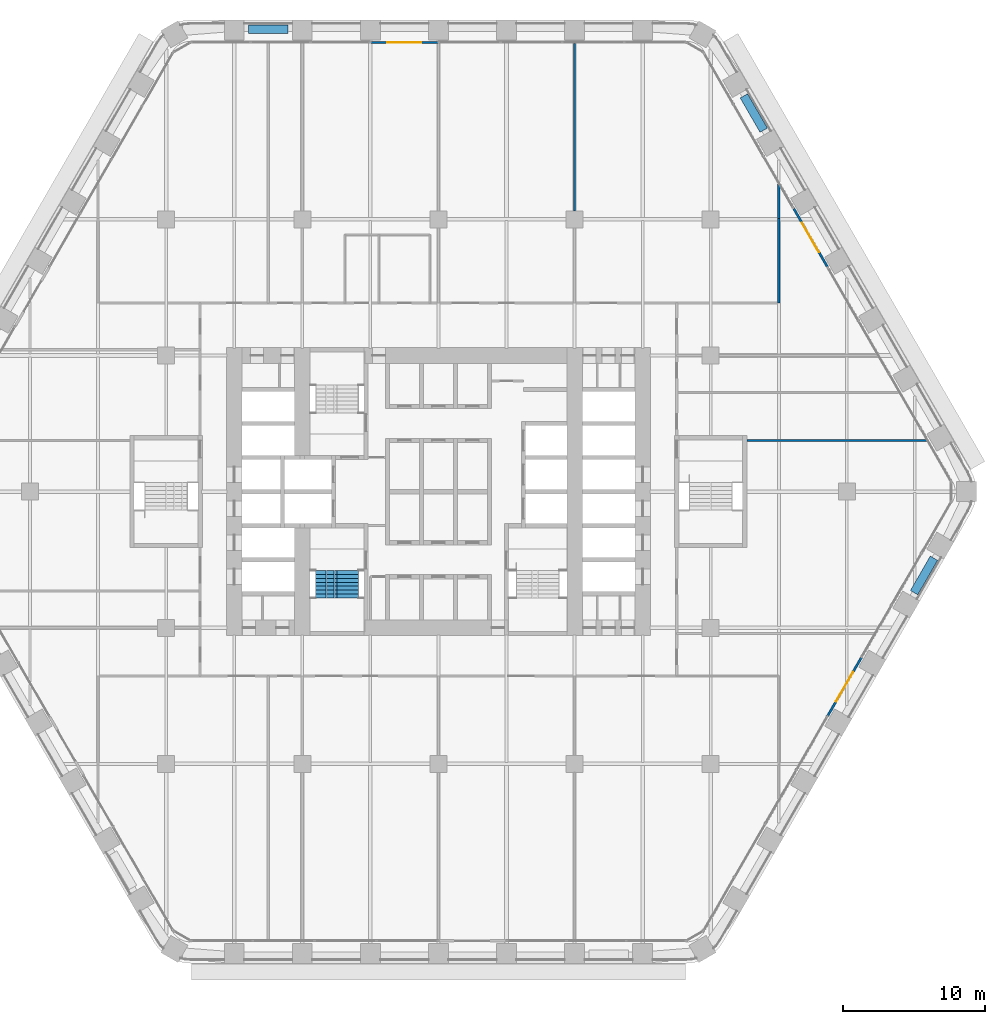
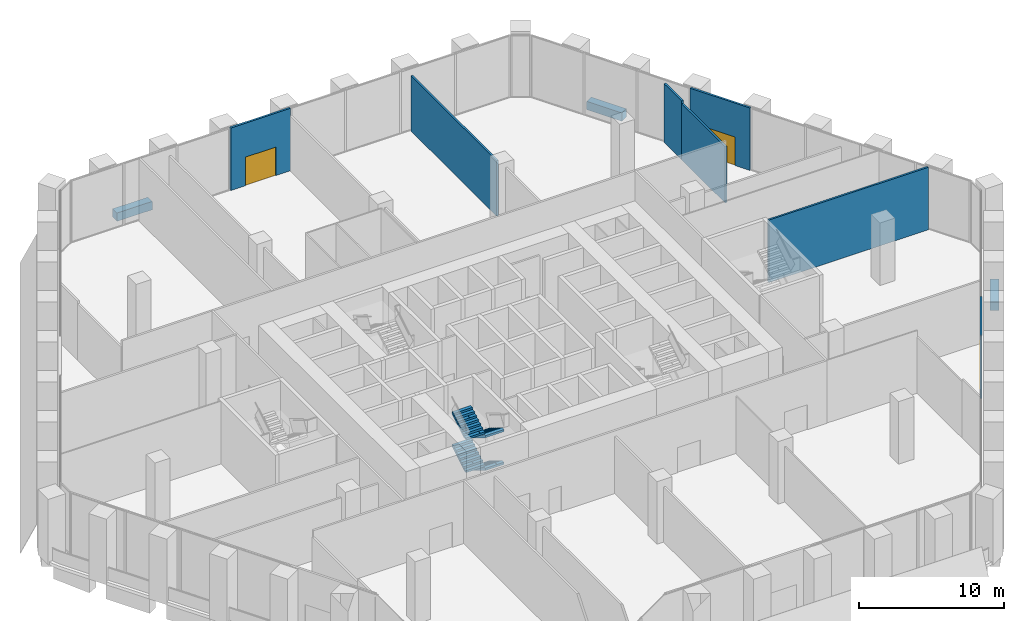
# One storey, part 22 of 27: 10 walls, 4 stair flights, 3 doors, 3 openings, 1 element without a shape of its own.
"""IFC4 building model written with IfcOpenShell, lengths in metres."""

from ifc_helpers import new_model, si_unit, direction, frame, frame_2d, origin, place, context, subcontext, project, spatial, polyline, rectangle, outline, extrude, material, layer, layer_set, type_object, element, fill, aggregate, save


model = new_model("IFC4")

# Units and contexts
model_context = context("Model", 3, precision=1e-05, world=origin(), true_north=direction((0.0, 1.0)))
body_context = subcontext(model_context, "Body", "Model", "MODEL_VIEW")
ifc_project = project(units=[si_unit("LENGTHUNIT", "METRE"), si_unit("AREAUNIT", "SQUARE_METRE"), si_unit("VOLUMEUNIT", "CUBIC_METRE"), si_unit("PLANEANGLEUNIT", "RADIAN"), si_unit("MASSUNIT", "GRAM", prefix="KILO")], contexts=[model_context])

# Site, building, storey
site_placement = place(None, origin())
site = spatial("IfcSite", under=ifc_project, at=site_placement, CompositionType="ELEMENT")
building_placement = place(site_placement, origin())
building = spatial("IfcBuilding", under=site, at=building_placement, Name="Kolab Exchange Tower", CompositionType="ELEMENT")
storey_placement = place(building_placement, frame((0.0, 0.0, 49.89990234375)))
storey = spatial("IfcBuildingStorey", under=building, at=storey_placement, Name="L09", CompositionType="ELEMENT", Elevation=49.89990234375)

# Wall, opening, door
ifc_material_1 = material(Name="Aluminium EN AW-6063 T6", Category="aluminium")
ifc_layer_1 = layer(ifc_material_1, 0.159912109375)
ifc_layer_set_1 = layer_set([ifc_layer_1], Name="Aluminium EN AW-6063 T6")
wall_type_1 = type_object("IfcWallType", Name="DOOR SURROUND WALL 160 ALUMINIUM FRAMED", PredefinedType="PARTITIONING", material=ifc_layer_set_1)
wall_1_placement = place(storey_placement, frame((-4.77001953125, 31.67529296875, 0.0), z_axis=(0.0, 0.0, 1.0), x_axis=(1.0, 0.0, 0.0)))
wall_1 = element("IfcWall", 1, at=wall_1_placement, inside=storey, type_object=wall_type_1, Name="Door surround wall", PredefinedType="PARTITIONING", context=body_context, shape_type="SweptSolid", body=[
    extrude(rectangle(XDim=4.739990234375, YDim=0.159912109375, at=frame_2d((2.3701171875, 0.0))), origin(), (0.0, 0.0, 1.0), 5.25),
])
opening_1_placement = place(wall_1_placement, frame((1.169921875, 0.0, 0.0)))
opening_1 = element("IfcOpeningElement", 2, at=opening_1_placement, cuts=wall_1, Name="Opening GD1-017", PredefinedType="OPENING", context=body_context, shape_type="SweptSolid", body=[
    extrude(rectangle(XDim=2.39990234375, YDim=2.39990234375, at=frame_2d((1.199951171875, 1.199951171875))), frame((0.0, 0.08984375, 0.0), z_axis=(0.0, -1.0, 0.0), x_axis=(1.0, 0.0, 0.0)), (0.0, 0.0, 1.0), 0.179931640625),
])
door_type = type_object("IfcDoorType", Name="LOGGIA SLIDING GLASS DOOR 2400 X 2400", OperationType="DOUBLE_DOOR_SINGLE_SWING", PredefinedType="DOOR", material=ifc_material_1)
door_1_placement = place(opening_1_placement, origin())
door_1 = element("IfcDoor", 3, at=door_1_placement, inside=storey, type_object=door_type, Name="Loggia door", OperationType="DOUBLE_DOOR_SLIDING", OverallHeight=2.39990234375, OverallWidth=2.39990234375, PredefinedType="DOOR", context=body_context, shape_type="SweptSolid", body=[
    extrude(rectangle(XDim=2.39990234375, YDim=2.39990234375, at=frame_2d((1.199951171875, 1.199951171875))), frame((0.0, 0.02490234375, 0.0), z_axis=(0.0, -1.0, 0.0), x_axis=(1.0, 0.0, 0.0)), (0.0, 0.0, 1.0), 0.050048828125),
])
fill(opening_1, door_1)

wall_2_placement = place(storey_placement, frame((25.046630859375, 19.96875, 0.0), z_axis=(0.0, 0.0, 1.0), x_axis=(0.5000167099, -0.866015756104, 0.0)))
wall_2 = element("IfcWall", 4, at=wall_2_placement, inside=storey, type_object=wall_type_1, Name="Door surround wall", PredefinedType="PARTITIONING", context=body_context, shape_type="SweptSolid", body=[
    extrude(rectangle(XDim=4.739990234375, YDim=0.159912109375, at=frame_2d((2.3701171875, 0.0))), origin(), (0.0, 0.0, 1.0), 5.25),
])
opening_2_placement = place(wall_2_placement, frame((1.169921875, 0.0, 0.0)))
opening_2 = element("IfcOpeningElement", 5, at=opening_2_placement, cuts=wall_2, Name="Opening GD1-018", PredefinedType="OPENING", context=body_context, shape_type="SweptSolid", body=[
    extrude(rectangle(XDim=2.39990234375, YDim=2.39990234375, at=frame_2d((1.199951171875, 1.199951171875))), frame((0.0, 0.08984375, 0.0), z_axis=(0.0, -1.0, 0.0), x_axis=(1.0, 0.0, 0.0)), (0.0, 0.0, 1.0), 0.179931640625),
])
door_2_placement = place(opening_2_placement, origin())
door_2 = element("IfcDoor", 6, at=door_2_placement, inside=storey, type_object=door_type, Name="Loggia door", OperationType="DOUBLE_DOOR_SLIDING", OverallHeight=2.39990234375, OverallWidth=2.39990234375, PredefinedType="DOOR", context=body_context, shape_type="SweptSolid", body=[
    extrude(rectangle(XDim=2.39990234375, YDim=2.39990234375, at=frame_2d((1.199951171875, 1.199951171875))), frame((0.0, 0.02490234375, 0.0), z_axis=(0.0, -1.0, 0.0), x_axis=(1.0, 0.0, 0.0)), (0.0, 0.0, 1.0), 0.050048828125),
])
fill(opening_2, door_2)

wall_3_placement = place(storey_placement, frame((29.816650390625, -11.706787109375, 0.0), z_axis=(0.0, 0.0, 1.0), x_axis=(-0.499978080042, -0.866038058908, 0.0)))
wall_3 = element("IfcWall", 7, at=wall_3_placement, inside=storey, type_object=wall_type_1, Name="Door surround wall", PredefinedType="PARTITIONING", context=body_context, shape_type="SweptSolid", body=[
    extrude(rectangle(XDim=4.739990234375, YDim=0.159912109375, at=frame_2d((2.3701171875, 0.0))), origin(), (0.0, 0.0, 1.0), 5.25),
])
opening_3_placement = place(wall_3_placement, frame((1.169921875, 0.0, 0.0)))
opening_3 = element("IfcOpeningElement", 8, at=opening_3_placement, cuts=wall_3, Name="Opening GD1-019", PredefinedType="OPENING", context=body_context, shape_type="SweptSolid", body=[
    extrude(rectangle(XDim=2.39990234375, YDim=2.39990234375, at=frame_2d((1.199951171875, 1.199951171875))), frame((0.0, 0.08984375, 0.0), z_axis=(0.0, -1.0, 0.0), x_axis=(1.0, 0.0, 0.0)), (0.0, 0.0, 1.0), 0.179931640625),
])
door_3_placement = place(opening_3_placement, origin())
door_3 = element("IfcDoor", 9, at=door_3_placement, inside=storey, type_object=door_type, Name="Loggia door", OperationType="DOUBLE_DOOR_SLIDING", OverallHeight=2.39990234375, OverallWidth=2.39990234375, PredefinedType="DOOR", context=body_context, shape_type="SweptSolid", body=[
    extrude(rectangle(XDim=2.39990234375, YDim=2.39990234375, at=frame_2d((1.199951171875, 1.199951171875))), frame((0.0, 0.02490234375, 0.0), z_axis=(0.0, -1.0, 0.0), x_axis=(1.0, 0.0, 0.0)), (0.0, 0.0, 1.0), 0.050048828125),
])
fill(opening_3, door_3)

# Walls
ifc_material_2 = material(Name="Gypsum board", Category="gypsum")
ifc_layer_2 = layer(ifc_material_2, 0.14990234375)
ifc_layer_set_2 = layer_set([ifc_layer_2], Name="Gypsum board")
wall_type_2 = type_object("IfcWallType", Name="PARTITION 150 FIRE-RATED", PredefinedType="PARTITIONING", material=ifc_layer_set_2)
wall_4_placement = place(storey_placement, frame((24.0, 13.300048828125, 0.0), z_axis=(0.0, 0.0, 1.0), x_axis=(0.0, 1.0, 0.0)))
element("IfcWall", 10, at=wall_4_placement, inside=storey, type_object=wall_type_2, Name="Partition 001", PredefinedType="PARTITIONING", context=body_context, shape_type="SweptSolid", body=[
    extrude(rectangle(XDim=5.973876953125, YDim=0.14990234375, at=frame_2d((2.98681640625, 0.0))), origin(), (0.0, 0.0, 1.0), 4.717041015625),
])
wall_5_placement = place(storey_placement, frame((24.0, 19.27392578125, 0.0), z_axis=(0.0, 0.0, 1.0), x_axis=(0.0, 1.0, 0.0)))
element("IfcWall", 11, at=wall_5_placement, inside=storey, type_object=wall_type_2, Name="Partition 001", PredefinedType="PARTITIONING", context=body_context, shape_type="SweptSolid", body=[
    extrude(rectangle(XDim=2.427490234375, YDim=0.14990234375, at=frame_2d((1.2138671875, 0.0))), origin(), (0.0, 0.0, 1.0), 4.940185546875),
])
wall_6_placement = place(storey_placement, frame((9.60009765625, 19.800048828125, 0.0), z_axis=(0.0, 0.0, 1.0), x_axis=(0.0, 1.0, 0.0)))
element("IfcWall", 12, at=wall_6_placement, inside=storey, type_object=wall_type_2, Name="Partition 011", PredefinedType="PARTITIONING", context=body_context, shape_type="SweptSolid", body=[
    extrude(rectangle(XDim=11.785400390625, YDim=0.14990234375, at=frame_2d((5.892578125, 0.0))), origin(), (0.0, 0.0, 1.0), 4.64208984375),
])
wall_7_placement = place(storey_placement, frame((21.75, 3.60009765625, 0.0), z_axis=(0.0, 0.0, 1.0), x_axis=(1.0, 0.0, 0.0)))
element("IfcWall", 13, at=wall_7_placement, inside=storey, type_object=wall_type_2, Name="Partition 041", PredefinedType="PARTITIONING", context=body_context, shape_type="SweptSolid", body=[
    extrude(rectangle(XDim=12.700927734375, YDim=0.14990234375, at=frame_2d((6.3505859375, 0.0))), origin(), (0.0, 0.0, 1.0), 5.25),
])
ifc_material_3 = material(Name="Granite facing", Category="masonry")
ifc_layer_3 = layer(ifc_material_3, 0.0400390625)
ifc_material_4 = material(Name="Concrete C40/50 precast", Category="concrete")
ifc_layer_4 = layer(ifc_material_4, 0.56005859375)
ifc_layer_set_3 = layer_set([ifc_layer_3, ifc_layer_4], Name="Concrete C40/50 precast")
wall_type_3 = type_object("IfcWallType", Name="PLANTER BOX 600 X 700 SOIL DEPTH 550", PredefinedType="USERDEFINED", material=ifc_layer_set_3)
for number, where, z_axis, x_axis, name in (
    (14, (-13.39990234375, 32.60546875, 0.0), (0.0, 0.0, 1.0), (1.0, 0.0, 0.0), "Planter"),
    (15, (21.537109375, 27.907470703125, 0.0), (0.0, 0.0, 1.0), (0.49998411664, -0.866034573852, 0.0), "Planter"),
    (16, (34.93701171875, -4.697998046875, 0.0), (0.0, 0.0, 1.0), (-0.49998411664, -0.866034573852, 0.0), "Planter"),
):
    element("IfcWall", number, at=place(storey_placement, frame(where, z_axis=z_axis, x_axis=x_axis)), inside=storey, type_object=wall_type_3, Name=name, ObjectType="PLANTER", PredefinedType="USERDEFINED", context=body_context, shape_type="SweptSolid", body=[
        extrude(rectangle(XDim=2.7998046875, YDim=0.60009765625, at=frame_2d((1.39990234375, 0.0))), origin(), (0.0, 0.0, 1.0), 0.7001953125),
    ])

# Stair, stair flights
ifc_material_5 = material(Name="Concrete C50/60", Category="concrete")
stair_type = type_object("IfcStairType", Name="STAIR ST3 RISER 171.9", PredefinedType="DOUBLE_RETURN_STAIR", material=ifc_material_5)
stair_placement = place(storey_placement, origin())
stair = element("IfcStair", 17, at=stair_placement, inside=storey, type_object=stair_type, Name="Stair 3", PredefinedType="DOUBLE_RETURN_STAIR")
stair_flight_type = type_object("IfcStairFlightType", Name="STAIR FLIGHT 1500 RISER 171.9", PredefinedType="STRAIGHT", material=ifc_material_5)
stair_flight_1_placement = place(storey_placement, frame((-6.389892578125, -5.550048828125, 0.0), z_axis=(0.0, 0.0, 1.0), x_axis=(0.0, -1.0, 0.0)))
stair_flight_1 = element("IfcStairFlight", 18, at=stair_flight_1_placement, type_object=stair_flight_type, Name="ST3 flight 1", NumberOfRisers=8, NumberOfTreads=7, PredefinedType="STRAIGHT", RiserHeight=0.171875, TreadLength=0.28, context=body_context, shape_type="SweptSolid", body=[
    extrude(outline(polyline([(0.0, 0.0), (0.0, 0.171875), (0.280029296875, 0.171875), (0.280029296875, 0.34375), (0.56005859375, 0.34375), (0.56005859375, 0.515625), (0.840087890625, 0.515625), (0.840087890625, 0.6875), (1.1201171875, 0.6875), (1.1201171875, 0.859375), (1.39990234375, 0.859375), (1.39990234375, 1.03125), (1.679931640625, 1.03125), (1.679931640625, 1.203125), (1.9599609375, 1.203125), (1.9599609375, 1.375), (1.9599609375, 1.02734375), (0.28662109375, 0.0), (0.0, 0.0)])), frame((0.0, 0.75, 0.0), z_axis=(0.0, -1.0, 0.0), x_axis=(1.0, 0.0, 0.0)), (0.0, 0.0, 1.0), 0.185791015625),
    extrude(outline(polyline([(0.0, 0.0), (0.0, 0.171875), (0.280029296875, 0.171875), (0.280029296875, 0.34375), (0.56005859375, 0.34375), (0.56005859375, 0.515625), (0.840087890625, 0.515625), (0.840087890625, 0.6875), (1.1201171875, 0.6875), (1.1201171875, 0.859375), (1.39990234375, 0.859375), (1.39990234375, 1.03125), (1.679931640625, 1.03125), (1.679931640625, 1.203125), (1.9599609375, 1.203125), (1.9599609375, 1.375), (1.9599609375, 1.02734375), (0.28662109375, 0.0), (0.0, 0.0)])), frame((0.0, 0.562255859375, 0.0), z_axis=(0.0, -1.0, 0.0), x_axis=(1.0, 0.0, 0.0)), (0.0, 0.0, 1.0), 0.185791015625),
    extrude(outline(polyline([(0.0, 0.0), (0.0, 0.171875), (0.280029296875, 0.171875), (0.280029296875, 0.34375), (0.56005859375, 0.34375), (0.56005859375, 0.515625), (0.840087890625, 0.515625), (0.840087890625, 0.6875), (1.1201171875, 0.6875), (1.1201171875, 0.859375), (1.39990234375, 0.859375), (1.39990234375, 1.03125), (1.679931640625, 1.03125), (1.679931640625, 1.203125), (1.9599609375, 1.203125), (1.9599609375, 1.375), (1.9599609375, 1.02734375), (0.28662109375, 0.0), (0.0, 0.0)])), frame((0.0, 0.37451171875, 0.0), z_axis=(0.0, -1.0, 0.0), x_axis=(1.0, 0.0, 0.0)), (0.0, 0.0, 1.0), 0.185791015625),
    extrude(outline(polyline([(0.0, 0.0), (0.0, 0.171875), (0.280029296875, 0.171875), (0.280029296875, 0.34375), (0.56005859375, 0.34375), (0.56005859375, 0.515625), (0.840087890625, 0.515625), (0.840087890625, 0.6875), (1.1201171875, 0.6875), (1.1201171875, 0.859375), (1.39990234375, 0.859375), (1.39990234375, 1.03125), (1.679931640625, 1.03125), (1.679931640625, 1.203125), (1.9599609375, 1.203125), (1.9599609375, 1.375), (1.9599609375, 1.02734375), (0.28662109375, 0.0), (0.0, 0.0)])), frame((0.0, 0.186767578125, 0.0), z_axis=(0.0, -1.0, 0.0), x_axis=(1.0, 0.0, 0.0)), (0.0, 0.0, 1.0), 0.185791015625),
    extrude(outline(polyline([(0.0, 0.0), (0.0, 0.171875), (0.280029296875, 0.171875), (0.280029296875, 0.34375), (0.56005859375, 0.34375), (0.56005859375, 0.515625), (0.840087890625, 0.515625), (0.840087890625, 0.6875), (1.1201171875, 0.6875), (1.1201171875, 0.859375), (1.39990234375, 0.859375), (1.39990234375, 1.03125), (1.679931640625, 1.03125), (1.679931640625, 1.203125), (1.9599609375, 1.203125), (1.9599609375, 1.375), (1.9599609375, 1.02734375), (0.28662109375, 0.0), (0.0, 0.0)])), frame((0.0, -0.0009765625, 0.0), z_axis=(0.0, -1.0, 0.0), x_axis=(1.0, 0.0, 0.0)), (0.0, 0.0, 1.0), 0.185791015625),
    extrude(outline(polyline([(0.0, 0.0), (0.0, 0.171875), (0.280029296875, 0.171875), (0.280029296875, 0.34375), (0.56005859375, 0.34375), (0.56005859375, 0.515625), (0.840087890625, 0.515625), (0.840087890625, 0.6875), (1.1201171875, 0.6875), (1.1201171875, 0.859375), (1.39990234375, 0.859375), (1.39990234375, 1.03125), (1.679931640625, 1.03125), (1.679931640625, 1.203125), (1.9599609375, 1.203125), (1.9599609375, 1.375), (1.9599609375, 1.02734375), (0.28662109375, 0.0), (0.0, 0.0)])), frame((0.0, -0.188720703125, 0.0), z_axis=(0.0, -1.0, 0.0), x_axis=(1.0, 0.0, 0.0)), (0.0, 0.0, 1.0), 0.185791015625),
    extrude(outline(polyline([(0.0, 0.0), (0.0, 0.171875), (0.280029296875, 0.171875), (0.280029296875, 0.34375), (0.56005859375, 0.34375), (0.56005859375, 0.515625), (0.840087890625, 0.515625), (0.840087890625, 0.6875), (1.1201171875, 0.6875), (1.1201171875, 0.859375), (1.39990234375, 0.859375), (1.39990234375, 1.03125), (1.679931640625, 1.03125), (1.679931640625, 1.203125), (1.9599609375, 1.203125), (1.9599609375, 1.375), (1.9599609375, 1.02734375), (0.28662109375, 0.0), (0.0, 0.0)])), frame((0.0, -0.37646484375, 0.0), z_axis=(0.0, -1.0, 0.0), x_axis=(1.0, 0.0, 0.0)), (0.0, 0.0, 1.0), 0.185791015625),
    extrude(outline(polyline([(0.0, 0.0), (0.0, 0.171875), (0.280029296875, 0.171875), (0.280029296875, 0.34375), (0.56005859375, 0.34375), (0.56005859375, 0.515625), (0.840087890625, 0.515625), (0.840087890625, 0.6875), (1.1201171875, 0.6875), (1.1201171875, 0.859375), (1.39990234375, 0.859375), (1.39990234375, 1.03125), (1.679931640625, 1.03125), (1.679931640625, 1.203125), (1.9599609375, 1.203125), (1.9599609375, 1.375), (1.9599609375, 1.02734375), (0.28662109375, 0.0), (0.0, 0.0)])), frame((0.0, -0.564208984375, 0.0), z_axis=(0.0, -1.0, 0.0), x_axis=(1.0, 0.0, 0.0)), (0.0, 0.0, 1.0), 0.185791015625),
])
stair_flight_2_placement = place(storey_placement, frame((-7.909912109375, -7.510009765625, 1.375), z_axis=(0.0, 0.0, 1.0), x_axis=(0.0, 1.0, 0.0)))
stair_flight_2 = element("IfcStairFlight", 19, at=stair_flight_2_placement, type_object=stair_flight_type, Name="ST3 flight 2", NumberOfRisers=8, NumberOfTreads=7, PredefinedType="STRAIGHT", RiserHeight=0.171875, TreadLength=0.28, context=body_context, shape_type="SweptSolid", body=[
    extrude(outline(polyline([(0.0, 0.0), (0.0, 0.171875), (0.280029296875, 0.171875), (0.280029296875, 0.34375), (0.56005859375, 0.34375), (0.56005859375, 0.515625), (0.840087890625, 0.515625), (0.840087890625, 0.6875), (1.1201171875, 0.6875), (1.1201171875, 0.859375), (1.39990234375, 0.859375), (1.39990234375, 1.03125), (1.679931640625, 1.03125), (1.679931640625, 1.203125), (1.9599609375, 1.203125), (1.9599609375, 1.375), (1.9599609375, 1.02734375), (0.28662109375, 0.0), (0.0, 0.0)])), frame((0.0, 0.75, 0.0), z_axis=(0.0, -1.0, 0.0), x_axis=(1.0, 0.0, 0.0)), (0.0, 0.0, 1.0), 0.185791015625),
    extrude(outline(polyline([(0.0, 0.0), (0.0, 0.171875), (0.280029296875, 0.171875), (0.280029296875, 0.34375), (0.56005859375, 0.34375), (0.56005859375, 0.515625), (0.840087890625, 0.515625), (0.840087890625, 0.6875), (1.1201171875, 0.6875), (1.1201171875, 0.859375), (1.39990234375, 0.859375), (1.39990234375, 1.03125), (1.679931640625, 1.03125), (1.679931640625, 1.203125), (1.9599609375, 1.203125), (1.9599609375, 1.375), (1.9599609375, 1.02734375), (0.28662109375, 0.0), (0.0, 0.0)])), frame((0.0, 0.562255859375, 0.0), z_axis=(0.0, -1.0, 0.0), x_axis=(1.0, 0.0, 0.0)), (0.0, 0.0, 1.0), 0.185791015625),
    extrude(outline(polyline([(0.0, 0.0), (0.0, 0.171875), (0.280029296875, 0.171875), (0.280029296875, 0.34375), (0.56005859375, 0.34375), (0.56005859375, 0.515625), (0.840087890625, 0.515625), (0.840087890625, 0.6875), (1.1201171875, 0.6875), (1.1201171875, 0.859375), (1.39990234375, 0.859375), (1.39990234375, 1.03125), (1.679931640625, 1.03125), (1.679931640625, 1.203125), (1.9599609375, 1.203125), (1.9599609375, 1.375), (1.9599609375, 1.02734375), (0.28662109375, 0.0), (0.0, 0.0)])), frame((0.0, 0.37451171875, 0.0), z_axis=(0.0, -1.0, 0.0), x_axis=(1.0, 0.0, 0.0)), (0.0, 0.0, 1.0), 0.185791015625),
    extrude(outline(polyline([(0.0, 0.0), (0.0, 0.171875), (0.280029296875, 0.171875), (0.280029296875, 0.34375), (0.56005859375, 0.34375), (0.56005859375, 0.515625), (0.840087890625, 0.515625), (0.840087890625, 0.6875), (1.1201171875, 0.6875), (1.1201171875, 0.859375), (1.39990234375, 0.859375), (1.39990234375, 1.03125), (1.679931640625, 1.03125), (1.679931640625, 1.203125), (1.9599609375, 1.203125), (1.9599609375, 1.375), (1.9599609375, 1.02734375), (0.28662109375, 0.0), (0.0, 0.0)])), frame((0.0, 0.186767578125, 0.0), z_axis=(0.0, -1.0, 0.0), x_axis=(1.0, 0.0, 0.0)), (0.0, 0.0, 1.0), 0.185791015625),
    extrude(outline(polyline([(0.0, 0.0), (0.0, 0.171875), (0.280029296875, 0.171875), (0.280029296875, 0.34375), (0.56005859375, 0.34375), (0.56005859375, 0.515625), (0.840087890625, 0.515625), (0.840087890625, 0.6875), (1.1201171875, 0.6875), (1.1201171875, 0.859375), (1.39990234375, 0.859375), (1.39990234375, 1.03125), (1.679931640625, 1.03125), (1.679931640625, 1.203125), (1.9599609375, 1.203125), (1.9599609375, 1.375), (1.9599609375, 1.02734375), (0.28662109375, 0.0), (0.0, 0.0)])), frame((0.0, -0.0009765625, 0.0), z_axis=(0.0, -1.0, 0.0), x_axis=(1.0, 0.0, 0.0)), (0.0, 0.0, 1.0), 0.185791015625),
    extrude(outline(polyline([(0.0, 0.0), (0.0, 0.171875), (0.280029296875, 0.171875), (0.280029296875, 0.34375), (0.56005859375, 0.34375), (0.56005859375, 0.515625), (0.840087890625, 0.515625), (0.840087890625, 0.6875), (1.1201171875, 0.6875), (1.1201171875, 0.859375), (1.39990234375, 0.859375), (1.39990234375, 1.03125), (1.679931640625, 1.03125), (1.679931640625, 1.203125), (1.9599609375, 1.203125), (1.9599609375, 1.375), (1.9599609375, 1.02734375), (0.28662109375, 0.0), (0.0, 0.0)])), frame((0.0, -0.188720703125, 0.0), z_axis=(0.0, -1.0, 0.0), x_axis=(1.0, 0.0, 0.0)), (0.0, 0.0, 1.0), 0.185791015625),
    extrude(outline(polyline([(0.0, 0.0), (0.0, 0.171875), (0.280029296875, 0.171875), (0.280029296875, 0.34375), (0.56005859375, 0.34375), (0.56005859375, 0.515625), (0.840087890625, 0.515625), (0.840087890625, 0.6875), (1.1201171875, 0.6875), (1.1201171875, 0.859375), (1.39990234375, 0.859375), (1.39990234375, 1.03125), (1.679931640625, 1.03125), (1.679931640625, 1.203125), (1.9599609375, 1.203125), (1.9599609375, 1.375), (1.9599609375, 1.02734375), (0.28662109375, 0.0), (0.0, 0.0)])), frame((0.0, -0.37646484375, 0.0), z_axis=(0.0, -1.0, 0.0), x_axis=(1.0, 0.0, 0.0)), (0.0, 0.0, 1.0), 0.185791015625),
    extrude(outline(polyline([(0.0, 0.0), (0.0, 0.171875), (0.280029296875, 0.171875), (0.280029296875, 0.34375), (0.56005859375, 0.34375), (0.56005859375, 0.515625), (0.840087890625, 0.515625), (0.840087890625, 0.6875), (1.1201171875, 0.6875), (1.1201171875, 0.859375), (1.39990234375, 0.859375), (1.39990234375, 1.03125), (1.679931640625, 1.03125), (1.679931640625, 1.203125), (1.9599609375, 1.203125), (1.9599609375, 1.375), (1.9599609375, 1.02734375), (0.28662109375, 0.0), (0.0, 0.0)])), frame((0.0, -0.564208984375, 0.0), z_axis=(0.0, -1.0, 0.0), x_axis=(1.0, 0.0, 0.0)), (0.0, 0.0, 1.0), 0.185791015625),
])
stair_flight_3_placement = place(storey_placement, frame((-6.389892578125, -5.550048828125, 2.75), z_axis=(0.0, 0.0, 1.0), x_axis=(0.0, -1.0, 0.0)))
stair_flight_3 = element("IfcStairFlight", 20, at=stair_flight_3_placement, type_object=stair_flight_type, Name="ST3 flight 3", NumberOfRisers=8, NumberOfTreads=7, PredefinedType="STRAIGHT", RiserHeight=0.171875, TreadLength=0.28, context=body_context, shape_type="SweptSolid", body=[
    extrude(outline(polyline([(0.0, 0.0), (0.0, 0.171875), (0.280029296875, 0.171875), (0.280029296875, 0.34375), (0.56005859375, 0.34375), (0.56005859375, 0.515625), (0.840087890625, 0.515625), (0.840087890625, 0.6875), (1.1201171875, 0.6875), (1.1201171875, 0.859375), (1.39990234375, 0.859375), (1.39990234375, 1.03125), (1.679931640625, 1.03125), (1.679931640625, 1.203125), (1.9599609375, 1.203125), (1.9599609375, 1.375), (1.9599609375, 1.02734375), (0.28662109375, 0.0), (0.0, 0.0)])), frame((0.0, 0.75, 0.0), z_axis=(0.0, -1.0, 0.0), x_axis=(1.0, 0.0, 0.0)), (0.0, 0.0, 1.0), 0.185791015625),
    extrude(outline(polyline([(0.0, 0.0), (0.0, 0.171875), (0.280029296875, 0.171875), (0.280029296875, 0.34375), (0.56005859375, 0.34375), (0.56005859375, 0.515625), (0.840087890625, 0.515625), (0.840087890625, 0.6875), (1.1201171875, 0.6875), (1.1201171875, 0.859375), (1.39990234375, 0.859375), (1.39990234375, 1.03125), (1.679931640625, 1.03125), (1.679931640625, 1.203125), (1.9599609375, 1.203125), (1.9599609375, 1.375), (1.9599609375, 1.02734375), (0.28662109375, 0.0), (0.0, 0.0)])), frame((0.0, 0.562255859375, 0.0), z_axis=(0.0, -1.0, 0.0), x_axis=(1.0, 0.0, 0.0)), (0.0, 0.0, 1.0), 0.185791015625),
    extrude(outline(polyline([(0.0, 0.0), (0.0, 0.171875), (0.280029296875, 0.171875), (0.280029296875, 0.34375), (0.56005859375, 0.34375), (0.56005859375, 0.515625), (0.840087890625, 0.515625), (0.840087890625, 0.6875), (1.1201171875, 0.6875), (1.1201171875, 0.859375), (1.39990234375, 0.859375), (1.39990234375, 1.03125), (1.679931640625, 1.03125), (1.679931640625, 1.203125), (1.9599609375, 1.203125), (1.9599609375, 1.375), (1.9599609375, 1.02734375), (0.28662109375, 0.0), (0.0, 0.0)])), frame((0.0, 0.37451171875, 0.0), z_axis=(0.0, -1.0, 0.0), x_axis=(1.0, 0.0, 0.0)), (0.0, 0.0, 1.0), 0.185791015625),
    extrude(outline(polyline([(0.0, 0.0), (0.0, 0.171875), (0.280029296875, 0.171875), (0.280029296875, 0.34375), (0.56005859375, 0.34375), (0.56005859375, 0.515625), (0.840087890625, 0.515625), (0.840087890625, 0.6875), (1.1201171875, 0.6875), (1.1201171875, 0.859375), (1.39990234375, 0.859375), (1.39990234375, 1.03125), (1.679931640625, 1.03125), (1.679931640625, 1.203125), (1.9599609375, 1.203125), (1.9599609375, 1.375), (1.9599609375, 1.02734375), (0.28662109375, 0.0), (0.0, 0.0)])), frame((0.0, 0.186767578125, 0.0), z_axis=(0.0, -1.0, 0.0), x_axis=(1.0, 0.0, 0.0)), (0.0, 0.0, 1.0), 0.185791015625),
    extrude(outline(polyline([(0.0, 0.0), (0.0, 0.171875), (0.280029296875, 0.171875), (0.280029296875, 0.34375), (0.56005859375, 0.34375), (0.56005859375, 0.515625), (0.840087890625, 0.515625), (0.840087890625, 0.6875), (1.1201171875, 0.6875), (1.1201171875, 0.859375), (1.39990234375, 0.859375), (1.39990234375, 1.03125), (1.679931640625, 1.03125), (1.679931640625, 1.203125), (1.9599609375, 1.203125), (1.9599609375, 1.375), (1.9599609375, 1.02734375), (0.28662109375, 0.0), (0.0, 0.0)])), frame((0.0, -0.0009765625, 0.0), z_axis=(0.0, -1.0, 0.0), x_axis=(1.0, 0.0, 0.0)), (0.0, 0.0, 1.0), 0.185791015625),
    extrude(outline(polyline([(0.0, 0.0), (0.0, 0.171875), (0.280029296875, 0.171875), (0.280029296875, 0.34375), (0.56005859375, 0.34375), (0.56005859375, 0.515625), (0.840087890625, 0.515625), (0.840087890625, 0.6875), (1.1201171875, 0.6875), (1.1201171875, 0.859375), (1.39990234375, 0.859375), (1.39990234375, 1.03125), (1.679931640625, 1.03125), (1.679931640625, 1.203125), (1.9599609375, 1.203125), (1.9599609375, 1.375), (1.9599609375, 1.02734375), (0.28662109375, 0.0), (0.0, 0.0)])), frame((0.0, -0.188720703125, 0.0), z_axis=(0.0, -1.0, 0.0), x_axis=(1.0, 0.0, 0.0)), (0.0, 0.0, 1.0), 0.185791015625),
    extrude(outline(polyline([(0.0, 0.0), (0.0, 0.171875), (0.280029296875, 0.171875), (0.280029296875, 0.34375), (0.56005859375, 0.34375), (0.56005859375, 0.515625), (0.840087890625, 0.515625), (0.840087890625, 0.6875), (1.1201171875, 0.6875), (1.1201171875, 0.859375), (1.39990234375, 0.859375), (1.39990234375, 1.03125), (1.679931640625, 1.03125), (1.679931640625, 1.203125), (1.9599609375, 1.203125), (1.9599609375, 1.375), (1.9599609375, 1.02734375), (0.28662109375, 0.0), (0.0, 0.0)])), frame((0.0, -0.37646484375, 0.0), z_axis=(0.0, -1.0, 0.0), x_axis=(1.0, 0.0, 0.0)), (0.0, 0.0, 1.0), 0.185791015625),
    extrude(outline(polyline([(0.0, 0.0), (0.0, 0.171875), (0.280029296875, 0.171875), (0.280029296875, 0.34375), (0.56005859375, 0.34375), (0.56005859375, 0.515625), (0.840087890625, 0.515625), (0.840087890625, 0.6875), (1.1201171875, 0.6875), (1.1201171875, 0.859375), (1.39990234375, 0.859375), (1.39990234375, 1.03125), (1.679931640625, 1.03125), (1.679931640625, 1.203125), (1.9599609375, 1.203125), (1.9599609375, 1.375), (1.9599609375, 1.02734375), (0.28662109375, 0.0), (0.0, 0.0)])), frame((0.0, -0.564208984375, 0.0), z_axis=(0.0, -1.0, 0.0), x_axis=(1.0, 0.0, 0.0)), (0.0, 0.0, 1.0), 0.185791015625),
])
stair_flight_4_placement = place(storey_placement, frame((-7.909912109375, -7.510009765625, 4.125), z_axis=(0.0, 0.0, 1.0), x_axis=(0.0, 1.0, 0.0)))
stair_flight_4 = element("IfcStairFlight", 21, at=stair_flight_4_placement, type_object=stair_flight_type, Name="ST3 flight 4", NumberOfRisers=8, NumberOfTreads=7, PredefinedType="STRAIGHT", RiserHeight=0.171875, TreadLength=0.28, context=body_context, shape_type="SweptSolid", body=[
    extrude(outline(polyline([(0.0, 0.0), (0.0, 0.171875), (0.280029296875, 0.171875), (0.280029296875, 0.34375), (0.56005859375, 0.34375), (0.56005859375, 0.515625), (0.840087890625, 0.515625), (0.840087890625, 0.6875), (1.1201171875, 0.6875), (1.1201171875, 0.859375), (1.39990234375, 0.859375), (1.39990234375, 1.03125), (1.679931640625, 1.03125), (1.679931640625, 1.203125), (1.9599609375, 1.203125), (1.9599609375, 1.375), (1.9599609375, 1.02734375), (0.28662109375, 0.0), (0.0, 0.0)])), frame((0.0, 0.75, 0.0), z_axis=(0.0, -1.0, 0.0), x_axis=(1.0, 0.0, 0.0)), (0.0, 0.0, 1.0), 0.185791015625),
    extrude(outline(polyline([(0.0, 0.0), (0.0, 0.171875), (0.280029296875, 0.171875), (0.280029296875, 0.34375), (0.56005859375, 0.34375), (0.56005859375, 0.515625), (0.840087890625, 0.515625), (0.840087890625, 0.6875), (1.1201171875, 0.6875), (1.1201171875, 0.859375), (1.39990234375, 0.859375), (1.39990234375, 1.03125), (1.679931640625, 1.03125), (1.679931640625, 1.203125), (1.9599609375, 1.203125), (1.9599609375, 1.375), (1.9599609375, 1.02734375), (0.28662109375, 0.0), (0.0, 0.0)])), frame((0.0, 0.562255859375, 0.0), z_axis=(0.0, -1.0, 0.0), x_axis=(1.0, 0.0, 0.0)), (0.0, 0.0, 1.0), 0.185791015625),
    extrude(outline(polyline([(0.0, 0.0), (0.0, 0.171875), (0.280029296875, 0.171875), (0.280029296875, 0.34375), (0.56005859375, 0.34375), (0.56005859375, 0.515625), (0.840087890625, 0.515625), (0.840087890625, 0.6875), (1.1201171875, 0.6875), (1.1201171875, 0.859375), (1.39990234375, 0.859375), (1.39990234375, 1.03125), (1.679931640625, 1.03125), (1.679931640625, 1.203125), (1.9599609375, 1.203125), (1.9599609375, 1.375), (1.9599609375, 1.02734375), (0.28662109375, 0.0), (0.0, 0.0)])), frame((0.0, 0.37451171875, 0.0), z_axis=(0.0, -1.0, 0.0), x_axis=(1.0, 0.0, 0.0)), (0.0, 0.0, 1.0), 0.185791015625),
    extrude(outline(polyline([(0.0, 0.0), (0.0, 0.171875), (0.280029296875, 0.171875), (0.280029296875, 0.34375), (0.56005859375, 0.34375), (0.56005859375, 0.515625), (0.840087890625, 0.515625), (0.840087890625, 0.6875), (1.1201171875, 0.6875), (1.1201171875, 0.859375), (1.39990234375, 0.859375), (1.39990234375, 1.03125), (1.679931640625, 1.03125), (1.679931640625, 1.203125), (1.9599609375, 1.203125), (1.9599609375, 1.375), (1.9599609375, 1.02734375), (0.28662109375, 0.0), (0.0, 0.0)])), frame((0.0, 0.186767578125, 0.0), z_axis=(0.0, -1.0, 0.0), x_axis=(1.0, 0.0, 0.0)), (0.0, 0.0, 1.0), 0.185791015625),
    extrude(outline(polyline([(0.0, 0.0), (0.0, 0.171875), (0.280029296875, 0.171875), (0.280029296875, 0.34375), (0.56005859375, 0.34375), (0.56005859375, 0.515625), (0.840087890625, 0.515625), (0.840087890625, 0.6875), (1.1201171875, 0.6875), (1.1201171875, 0.859375), (1.39990234375, 0.859375), (1.39990234375, 1.03125), (1.679931640625, 1.03125), (1.679931640625, 1.203125), (1.9599609375, 1.203125), (1.9599609375, 1.375), (1.9599609375, 1.02734375), (0.28662109375, 0.0), (0.0, 0.0)])), frame((0.0, -0.0009765625, 0.0), z_axis=(0.0, -1.0, 0.0), x_axis=(1.0, 0.0, 0.0)), (0.0, 0.0, 1.0), 0.185791015625),
    extrude(outline(polyline([(0.0, 0.0), (0.0, 0.171875), (0.280029296875, 0.171875), (0.280029296875, 0.34375), (0.56005859375, 0.34375), (0.56005859375, 0.515625), (0.840087890625, 0.515625), (0.840087890625, 0.6875), (1.1201171875, 0.6875), (1.1201171875, 0.859375), (1.39990234375, 0.859375), (1.39990234375, 1.03125), (1.679931640625, 1.03125), (1.679931640625, 1.203125), (1.9599609375, 1.203125), (1.9599609375, 1.375), (1.9599609375, 1.02734375), (0.28662109375, 0.0), (0.0, 0.0)])), frame((0.0, -0.188720703125, 0.0), z_axis=(0.0, -1.0, 0.0), x_axis=(1.0, 0.0, 0.0)), (0.0, 0.0, 1.0), 0.185791015625),
    extrude(outline(polyline([(0.0, 0.0), (0.0, 0.171875), (0.280029296875, 0.171875), (0.280029296875, 0.34375), (0.56005859375, 0.34375), (0.56005859375, 0.515625), (0.840087890625, 0.515625), (0.840087890625, 0.6875), (1.1201171875, 0.6875), (1.1201171875, 0.859375), (1.39990234375, 0.859375), (1.39990234375, 1.03125), (1.679931640625, 1.03125), (1.679931640625, 1.203125), (1.9599609375, 1.203125), (1.9599609375, 1.375), (1.9599609375, 1.02734375), (0.28662109375, 0.0), (0.0, 0.0)])), frame((0.0, -0.37646484375, 0.0), z_axis=(0.0, -1.0, 0.0), x_axis=(1.0, 0.0, 0.0)), (0.0, 0.0, 1.0), 0.185791015625),
    extrude(outline(polyline([(0.0, 0.0), (0.0, 0.171875), (0.280029296875, 0.171875), (0.280029296875, 0.34375), (0.56005859375, 0.34375), (0.56005859375, 0.515625), (0.840087890625, 0.515625), (0.840087890625, 0.6875), (1.1201171875, 0.6875), (1.1201171875, 0.859375), (1.39990234375, 0.859375), (1.39990234375, 1.03125), (1.679931640625, 1.03125), (1.679931640625, 1.203125), (1.9599609375, 1.203125), (1.9599609375, 1.375), (1.9599609375, 1.02734375), (0.28662109375, 0.0), (0.0, 0.0)])), frame((0.0, -0.564208984375, 0.0), z_axis=(0.0, -1.0, 0.0), x_axis=(1.0, 0.0, 0.0)), (0.0, 0.0, 1.0), 0.185791015625),
])
aggregate(stair, [stair_flight_1, stair_flight_2, stair_flight_3, stair_flight_4])

save(model, "model.ifc")
